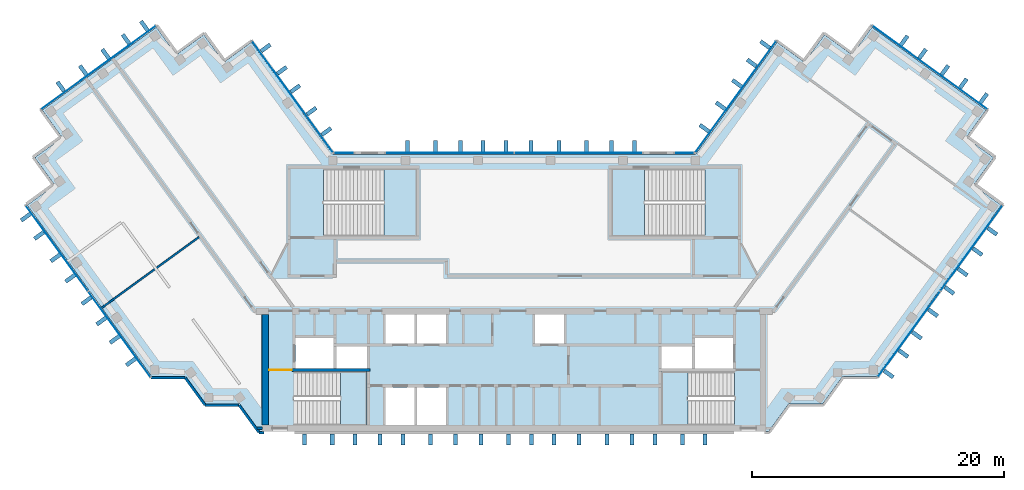
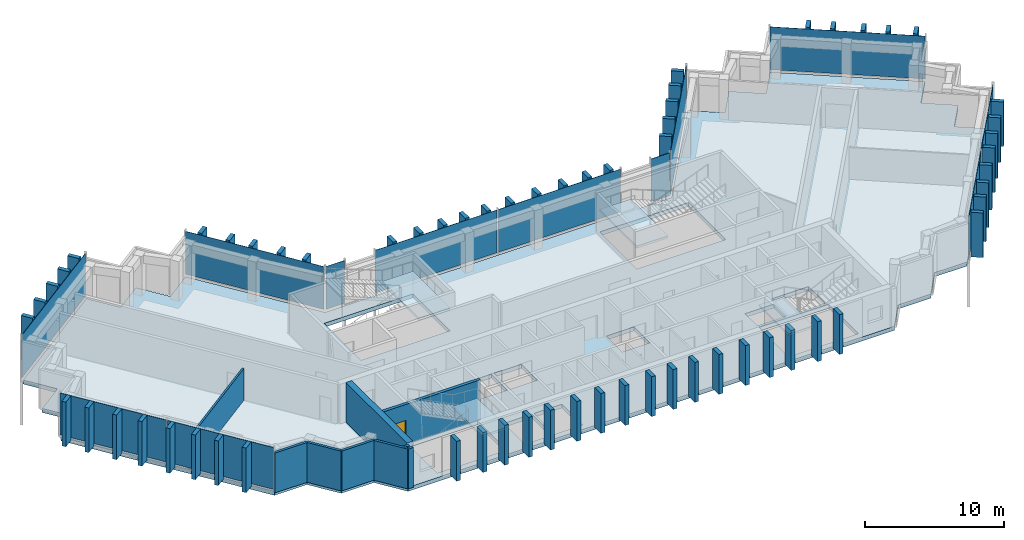
# One storey, part 7 of 13: 75 plates, 9 walls, 5 slabs, 1 door, 1 opening, 13 elements without a shape of their own.
"""IFC4 building model written with IfcOpenShell, lengths in metres."""

import ifcopenshell
import ifcopenshell.guid

model = None  # the IFC model being written
_history = None  # IfcOwnerHistory: only IFC2X3 demands one
_inside = {}  # id of a spatial element -> (the spatial element, [elements in it])
_under = {}  # id of a project, library or spatial element -> (it, [spatial elements below it])
_declared = {}  # id of a project -> (the project, [libraries it declares])
_typed = {}  # id of a type object -> (the type object, [elements of that type])
_made_of = {}  # id of a material, layer set ... -> (it, [elements and type objects made of it])


def new_model(schema):
    """Start an empty IFC model of exactly this schema.

    Asked for "IFC4X3", IfcOpenShell would pick the latest addendum, in which some entities
    have other attributes; the version numbers below select the first issue.
    IFC2X3 requires an IfcOwnerHistory on every rooted entity: one is made here for all.
    """
    global model, _history
    if schema == "IFC4X3":
        model = ifcopenshell.file(schema_version=(4, 3, 0, 0))
    else:
        model = ifcopenshell.file(schema=schema)
    _inside.clear()
    _under.clear()
    _declared.clear()
    _typed.clear()
    _made_of.clear()
    _history = None
    if model.schema == "IFC2X3":
        org = make("IfcOrganization", Name="unknown")
        user = make(
            "IfcPersonAndOrganization",
            ThePerson=make("IfcPerson", FamilyName="unknown"),
            TheOrganization=org,
        )
        app = make(
            "IfcApplication",
            ApplicationDeveloper=org,
            Version="unknown",
            ApplicationFullName="unknown",
            ApplicationIdentifier="unknown",
        )
        _history = make(
            "IfcOwnerHistory",
            OwningUser=user,
            OwningApplication=app,
            ChangeAction="ADDED",
            CreationDate=0,
        )
    return model


def make(cls, **values):
    """One entity of the class cls with the attributes given. An attribute that is None is left unset."""
    return model.create_entity(
        cls, **{name: value for name, value in values.items() if value is not None}
    )


def rooted(cls, **values):
    """An entity with a GlobalId (a new one), such as an element, a storey or a relation."""
    return make(cls, GlobalId=ifcopenshell.guid.new(), OwnerHistory=_history, **values)


def si_unit(unit_type, name, prefix=None):
    """IfcSIUnit, for example si_unit("LENGTHUNIT", "METRE", prefix="MILLI")."""
    return make("IfcSIUnit", UnitType=unit_type, Prefix=prefix, Name=name)


def assignment(units):
    """IfcUnitAssignment: the units of a project."""
    return None if units is None else make("IfcUnitAssignment", Units=units)


def point(xyz):
    """IfcCartesianPoint."""
    return None if xyz is None else make("IfcCartesianPoint", Coordinates=xyz)


def direction(xyz):
    """IfcDirection."""
    return None if xyz is None else make("IfcDirection", DirectionRatios=xyz)


def frame(location, z_axis=None, x_axis=None):
    """IfcAxis2Placement3D, a coordinate frame: its origin and axes. An axis left out is left unset."""
    return make(
        "IfcAxis2Placement3D",
        Location=point(location),
        Axis=direction(z_axis),
        RefDirection=direction(x_axis),
    )


def frame_2d(location, x_axis=None):
    """IfcAxis2Placement2D, a coordinate frame in the plane: its origin and x axis."""
    return make(
        "IfcAxis2Placement2D", Location=point(location), RefDirection=direction(x_axis)
    )


def origin():
    """The frame at (0, 0, 0) with its axes left unset."""
    return frame((0.0, 0.0, 0.0))


def origin_2d():
    """The frame at (0, 0) in the plane with its x axis left unset."""
    return frame_2d((0.0, 0.0))


def place(relative_to, where):
    """IfcLocalPlacement: puts the frame where relative to a parent placement (None: the world)."""
    return make(
        "IfcLocalPlacement", PlacementRelTo=relative_to, RelativePlacement=where
    )


def context(
    kind, dimensions, precision=None, world=None, true_north=None, identifier=None
):
    """IfcGeometricRepresentationContext, for example the 3D "Model" context."""
    return make(
        "IfcGeometricRepresentationContext",
        ContextIdentifier=identifier,
        ContextType=kind,
        CoordinateSpaceDimension=dimensions,
        Precision=precision,
        WorldCoordinateSystem=world,
        TrueNorth=true_north,
    )


def subcontext(parent, identifier, kind, view, scale=None):
    """IfcGeometricRepresentationSubContext, for example "Body" below "Model"."""
    return make(
        "IfcGeometricRepresentationSubContext",
        ContextIdentifier=identifier,
        ContextType=kind,
        ParentContext=parent,
        TargetScale=scale,
        TargetView=view,
    )


def project(units=None, contexts=None):
    """IfcProject with its units and contexts."""
    return rooted(
        "IfcProject",
        Name="project",
        RepresentationContexts=contexts,
        UnitsInContext=assignment(units),
    )


def spatial(cls, under=None, at=None, **own):
    """A site, building, storey or space (cls), placed at a placement, below another one or the project."""
    s = rooted(cls, ObjectPlacement=at, **own)
    if under is not None:
        _under.setdefault(under.id(), (under, []))[1].append(s)
    return s


def polyline(points):
    """IfcPolyline through the points."""
    return make("IfcPolyline", Points=[point(p) for p in points])


def profile(cls, at=None, kind="AREA", **sizes):
    """A parametric profile (cls). Its sizes go by their IFC names, for example OverallWidth=200.0."""
    return make(cls, ProfileType=kind, Position=at, **sizes)


def rectangle(**sizes):
    """IfcRectangleProfileDef."""
    return profile("IfcRectangleProfileDef", **sizes)


def outline(outer, holes=None, kind="AREA"):
    """IfcArbitraryClosedProfileDef: a profile drawn as a closed curve; with holes, ...WithVoids."""
    if holes is None:
        return make("IfcArbitraryClosedProfileDef", ProfileType=kind, OuterCurve=outer)
    return make(
        "IfcArbitraryProfileDefWithVoids",
        ProfileType=kind,
        OuterCurve=outer,
        InnerCurves=holes,
    )


def extrude(swept, where, along, depth):
    """IfcExtrudedAreaSolid: the profile swept, set in the frame where, extruded along a direction by depth."""
    return make(
        "IfcExtrudedAreaSolid",
        SweptArea=swept,
        Position=where,
        ExtrudedDirection=direction(along),
        Depth=depth,
    )


def shape(context_of_items, identifier, shape_type, items):
    """IfcShapeRepresentation: the items that make up one representation, for example the "Body"."""
    return make(
        "IfcShapeRepresentation",
        ContextOfItems=context_of_items,
        RepresentationIdentifier=identifier,
        RepresentationType=shape_type,
        Items=items,
    )


def material(Name=None, Category=None):
    """IfcMaterial."""
    return make("IfcMaterial", Name=Name, Category=Category)


def layer(
    of_material, thickness, ventilated=None, Name=None, Category=None, Priority=None
):
    """IfcMaterialLayer: one layer of a wall or slab, of a material (None: an air gap)."""
    return make(
        "IfcMaterialLayer",
        Material=of_material,
        LayerThickness=thickness,
        IsVentilated=ventilated,
        Name=Name,
        Category=Category,
        Priority=Priority,
    )


def layer_set(layers, Name=None):
    """IfcMaterialLayerSet."""
    return make("IfcMaterialLayerSet", MaterialLayers=layers, LayerSetName=Name)


def made_of(thing, what):
    """Note that an element or type object is made of a material, layer set ...; save() writes the relation."""
    if what is not None:
        _made_of.setdefault(what.id(), (what, []))[1].append(thing)
    return thing


def type_object(cls, material=None, **own):
    """A type object (cls), such as IfcWallType, which elements share."""
    return made_of(rooted(cls, **own), material)


def element(
    cls,
    number,
    at=None,
    inside=None,
    cuts=None,
    type_object=None,
    material=None,
    context=None,
    identifier="Body",
    shape_type=None,
    held_by="IfcProductDefinitionShape",
    body=None,
    shapes=None,
    **own,
):
    """One element of the class cls, such as IfcWall. Its Tag is "e" and its number.

    at: its placement. inside: the storey or other place that contains it. cuts: it is an
    opening in that element (IfcRelVoidsElement). A single representation is given by context,
    identifier, shape_type and body (its items); several are given by shapes. held_by: the class
    of the entity that holds the representations. save() writes the other relations.
    """
    e = rooted(cls, Tag="e%d" % number, ObjectPlacement=at, **own)
    if body is not None:
        shapes = [shape(context, identifier, shape_type, body)]
    if shapes is not None:
        e.Representation = make(held_by, Representations=shapes)
    if inside is not None:
        _inside.setdefault(inside.id(), (inside, []))[1].append(e)
    if cuts is not None:
        rooted(
            "IfcRelVoidsElement", RelatingBuildingElement=cuts, RelatedOpeningElement=e
        )
    if type_object is not None:
        _typed.setdefault(type_object.id(), (type_object, []))[1].append(e)
    return made_of(e, material)


def fill(opening, filler):
    """IfcRelFillsElement: the door or window that sits in an opening."""
    return rooted(
        "IfcRelFillsElement",
        RelatingOpeningElement=opening,
        RelatedBuildingElement=filler,
    )


def aggregate(whole, parts):
    """IfcRelAggregates: a whole, such as a stair, and the parts it consists of."""
    return rooted("IfcRelAggregates", RelatingObject=whole, RelatedObjects=parts)


def save(model, path):
    """Write the relations noted so far, then the file.

    IfcRelAggregates (storeys below a building ...), IfcRelContainedInSpatialStructure (elements
    in a storey), IfcRelDefinesByType, IfcRelAssociatesMaterial and IfcRelDeclares: one each for
    every whole, place, type object, material and project.
    """
    for whole, parts in _under.values():
        aggregate(whole, parts)
    for where, things in _inside.values():
        rooted(
            "IfcRelContainedInSpatialStructure",
            RelatedElements=things,
            RelatingStructure=where,
        )
    for kind, things in _typed.values():
        rooted("IfcRelDefinesByType", RelatedObjects=things, RelatingType=kind)
    for what, things in _made_of.values():
        rooted("IfcRelAssociatesMaterial", RelatedObjects=things, RelatingMaterial=what)
    for by, libraries in _declared.values():
        rooted("IfcRelDeclares", RelatingContext=by, RelatedDefinitions=libraries)
    model.write(path)


model = new_model("IFC4")

# Units and contexts
model_context = context("Model", 3, precision=1e-05, world=origin(), true_north=direction((0.0, 1.0)))
body_context = subcontext(model_context, "Body", "Model", "MODEL_VIEW")
ifc_project = project(units=[si_unit("LENGTHUNIT", "METRE"), si_unit("AREAUNIT", "SQUARE_METRE"), si_unit("VOLUMEUNIT", "CUBIC_METRE"), si_unit("PLANEANGLEUNIT", "RADIAN"), si_unit("MASSUNIT", "GRAM", prefix="KILO")], contexts=[model_context])

# Site, building, storey
site_placement = place(None, origin())
site = spatial("IfcSite", under=ifc_project, at=site_placement, CompositionType="ELEMENT")
building_placement = place(site_placement, origin())
building = spatial("IfcBuilding", under=site, at=building_placement, Name="Quipu Civic Tower", CompositionType="ELEMENT")
storey_placement = place(building_placement, frame((0.0, 0.0, 269.0)))
storey = spatial("IfcBuildingStorey", under=building, at=storey_placement, Name="L63", CompositionType="ELEMENT", Elevation=269.0)

# Slab
ifc_material_1 = material(Name="Concrete C40/50", Category="concrete")
ifc_layer_1 = layer(ifc_material_1, 0.35009765625)
ifc_layer_set_1 = layer_set([ifc_layer_1], Name="Concrete C40/50")
slab_type_1 = type_object("IfcSlabType", Name="Floor slab 350 C40/50", PredefinedType="FLOOR", material=ifc_layer_set_1)
slab_1_placement = place(storey_placement, frame((0.0, 0.0, -0.35009765625)))
element("IfcSlab", 1, at=slab_1_placement, inside=storey, type_object=slab_type_1, Name="Floor slab L63", PredefinedType="FLOOR", context=body_context, shape_type="SweptSolid", body=[
    extrude(outline(polyline([(20.860107421875, 19.89501953125), (23.0400390625, 18.31005859375), (24.6298828125, 20.4951171875), (26.81494140625, 18.905029296875), (28.39990234375, 21.090087890625), (37.4599609375, 14.5048828125), (35.875, 12.320068359375), (38.06005859375, 10.735107421875), (36.469970703125, 8.550048828125), (38.655029296875, 6.965087890625), (28.780029296875, -6.6298828125), (26.080078125, -6.6298828125), (24.489990234375, -8.81494140625), (21.7900390625, -8.81494140625), (20.205078125, -11.0), (-20.205078125, -11.0), (-21.7900390625, -8.81494140625), (-24.489990234375, -8.81494140625), (-26.080078125, -6.6298828125), (-28.780029296875, -6.6298828125), (-38.655029296875, 6.965087890625), (-36.469970703125, 8.550048828125), (-38.06005859375, 10.735107421875), (-35.875, 12.320068359375), (-37.4599609375, 14.5048828125), (-28.39990234375, 21.090087890625), (-26.81494140625, 18.905029296875), (-24.6298828125, 20.4951171875), (-23.0400390625, 18.31005859375), (-20.860107421875, 19.89501953125), (-14.39501953125, 11.0), (14.39501953125, 11.0), (20.860107421875, 19.89501953125)]), holes=[polyline([(-10.199951171875, -10.5), (-7.89990234375, -10.5), (-7.89990234375, -7.5), (-10.199951171875, -7.5), (-10.199951171875, -10.5)]), polyline([(-7.699951171875, -7.5), (-7.699951171875, -10.5), (-5.39990234375, -10.5), (-5.39990234375, -7.5), (-7.699951171875, -7.5)]), polyline([(-11.705078125, -6.2548828125), (-17.4951171875, -6.2548828125), (-17.4951171875, -10.4951171875), (-11.705078125, -10.4951171875), (-11.705078125, -6.2548828125)]), polyline([(-14.10009765625, -6.0), (-11.699951171875, -6.0), (-11.699951171875, -4.25), (-14.10009765625, -4.25), (-14.10009765625, -6.0)]), polyline([(-17.35009765625, -3.60009765625), (-17.35009765625, -6.0), (-14.35009765625, -6.0), (-14.35009765625, -3.60009765625), (-17.35009765625, -3.60009765625)]), polyline([(-10.199951171875, -1.699951171875), (-10.199951171875, -4.0), (-7.89990234375, -4.0), (-7.89990234375, -1.699951171875), (-10.199951171875, -1.699951171875)]), polyline([(-15.14501953125, 9.844970703125), (-15.14501953125, 4.5048828125), (-7.7548828125, 4.5048828125), (-7.7548828125, 9.844970703125), (-15.14501953125, 9.844970703125)]), polyline([(11.705078125, -10.4951171875), (17.4951171875, -10.4951171875), (17.4951171875, -6.2548828125), (11.705078125, -6.2548828125), (11.705078125, -10.4951171875)]), polyline([(11.699951171875, -4.25), (11.699951171875, -6.0), (14.10009765625, -6.0), (14.10009765625, -4.25), (11.699951171875, -4.25)]), polyline([(14.35009765625, -3.60009765625), (14.35009765625, -6.0), (17.35009765625, -6.0), (17.35009765625, -3.60009765625), (14.35009765625, -3.60009765625)]), polyline([(-7.699951171875, -1.699951171875), (-7.699951171875, -4.0), (-5.39990234375, -4.0), (-5.39990234375, -1.699951171875), (-7.699951171875, -1.699951171875)]), polyline([(1.64990234375, -1.699951171875), (1.64990234375, -4.0), (3.949951171875, -4.0), (3.949951171875, -1.699951171875), (1.64990234375, -1.699951171875)]), polyline([(7.7548828125, 4.5048828125), (15.14501953125, 4.5048828125), (15.14501953125, 9.844970703125), (7.7548828125, 9.844970703125), (7.7548828125, 4.5048828125)])]), origin(), (0.0, 0.0, 1.0), 0.35009765625),
])

# Curtain wall, plates
ifc_material_2 = material(Name="Insulated glass unit", Category="glass")
curtain_wall_type = type_object("IfcCurtainWallType", Name="Office curtain wall CW1", PredefinedType="NOTDEFINED", material=ifc_material_2)
curtain_wall_1_placement = place(storey_placement, origin())
curtain_wall_1 = element("IfcCurtainWall", 2, at=curtain_wall_1_placement, inside=storey, type_object=curtain_wall_type, Name="Office curtain wall CW1 L62 run 16", PredefinedType="NOTDEFINED")
ifc_material_3 = material(Name="Insulated glass unit", Category="glass")
ifc_layer_2 = layer(ifc_material_3, 0.028076171875)
ifc_layer_set_2 = layer_set([ifc_layer_2], Name="Insulated glass unit")
plate_type_1 = type_object("IfcPlateType", Name="Glass panel CW1", PredefinedType="CURTAIN_PANEL", material=ifc_layer_set_2)
plate_1_placement = place(storey_placement, frame((31.333251953125, -3.285888671875, 0.16015625), z_axis=(0.0, 0.0, 1.0), x_axis=(0.587786237643, 0.809016278475, 0.0)))
plate_1 = element("IfcPlate", 3, at=plate_1_placement, type_object=plate_type_1, Name="CW1 panel 1.2", PredefinedType="CURTAIN_PANEL", context=body_context, shape_type="SweptSolid", body=[
    extrude(rectangle(XDim=8.35791015625, YDim=0.028076171875, at=origin_2d()), origin(), (0.0, 0.0, 1.0), 3.760009765625),
])
plate_2_placement = place(storey_placement, frame((36.292724609375, 3.54052734375, 0.16015625), z_axis=(0.0, 0.0, 1.0), x_axis=(0.587786237643, 0.809016278475, 0.0)))
plate_2 = element("IfcPlate", 4, at=plate_2_placement, type_object=plate_type_1, Name="CW1 panel 2.2", PredefinedType="CURTAIN_PANEL", context=body_context, shape_type="SweptSolid", body=[
    extrude(rectangle(XDim=8.35791015625, YDim=0.028076171875, at=origin_2d()), origin(), (0.0, 0.0, 1.0), 3.760009765625),
])
aggregate(curtain_wall_1, [plate_1, plate_2])

# Curtain wall, plate
curtain_wall_2_placement = place(storey_placement, origin())
curtain_wall_2 = element("IfcCurtainWall", 5, at=curtain_wall_2_placement, inside=storey, type_object=curtain_wall_type, Name="Office curtain wall CW1 L62 run 21", PredefinedType="NOTDEFINED")
plate_3_placement = place(storey_placement, frame((32.989990234375, 17.87939453125, 0.16015625), z_axis=(0.0, 0.0, 1.0), x_axis=(-0.809015176832, 0.587787753918, 0.0)))
plate_3 = element("IfcPlate", 6, at=plate_3_placement, type_object=plate_type_1, Name="CW1 panel 1.2", PredefinedType="CURTAIN_PANEL", context=body_context, shape_type="SweptSolid", body=[
    extrude(rectangle(XDim=11.239990234375, YDim=0.028076171875, at=origin_2d()), origin(), (0.0, 0.0, 1.0), 3.760009765625),
])
aggregate(curtain_wall_2, [plate_3])

curtain_wall_3_placement = place(storey_placement, origin())
curtain_wall_3 = element("IfcCurtainWall", 7, at=curtain_wall_3_placement, inside=storey, type_object=curtain_wall_type, Name="Office curtain wall CW1 L62 run 26", PredefinedType="NOTDEFINED")
plate_4_placement = place(storey_placement, frame((17.590087890625, 15.5673828125, 0.16015625), z_axis=(0.0, 0.0, 1.0), x_axis=(-0.587787771652, -0.809015163947, 0.0)))
plate_4 = element("IfcPlate", 8, at=plate_4_placement, type_object=plate_type_1, Name="CW1 panel 1.2", PredefinedType="CURTAIN_PANEL", context=body_context, shape_type="SweptSolid", body=[
    extrude(rectangle(XDim=10.88427734375, YDim=0.028076171875, at=origin_2d()), origin(), (0.0, 0.0, 1.0), 3.760009765625),
])
aggregate(curtain_wall_3, [plate_4])

curtain_wall_4_placement = place(storey_placement, origin())
curtain_wall_4 = element("IfcCurtainWall", 9, at=curtain_wall_4_placement, inside=storey, type_object=curtain_wall_type, Name="Office curtain wall CW1 L62 run 27", PredefinedType="NOTDEFINED")
plate_5_placement = place(storey_placement, frame((13.49951171875, 11.10009765625, 0.16015625), z_axis=(0.0, 0.0, 1.0), x_axis=(-1.0, 0.0, 0.0)))
plate_5 = element("IfcPlate", 10, at=plate_5_placement, type_object=plate_type_1, Name="CW1 panel 1.2", PredefinedType="CURTAIN_PANEL", context=body_context, shape_type="SweptSolid", body=[
    extrude(rectangle(XDim=1.529296875, YDim=0.028076171875, at=origin_2d()), origin(), (0.0, 0.0, 1.0), 3.760009765625),
])
aggregate(curtain_wall_4, [plate_5])

# Curtain wall, plates
curtain_wall_5_placement = place(storey_placement, origin())
curtain_wall_5 = element("IfcCurtainWall", 11, at=curtain_wall_5_placement, inside=storey, type_object=curtain_wall_type, Name="Office curtain wall CW1 L62 run 29", PredefinedType="NOTDEFINED")
plate_6_placement = place(storey_placement, frame((5.11181640625, 11.10009765625, 0.16015625), z_axis=(0.0, 0.0, 1.0), x_axis=(-1.0, 0.0, 0.0)))
plate_6 = element("IfcPlate", 12, at=plate_6_placement, type_object=plate_type_1, Name="CW1 panel 1.2", PredefinedType="CURTAIN_PANEL", context=body_context, shape_type="SweptSolid", body=[
    extrude(rectangle(XDim=10.1435546875, YDim=0.028076171875, at=origin_2d()), origin(), (0.0, 0.0, 1.0), 3.760009765625),
])
plate_7_placement = place(storey_placement, frame((-5.11181640625, 11.10009765625, 0.16015625), z_axis=(0.0, 0.0, 1.0), x_axis=(-1.0, 0.0, 0.0)))
plate_7 = element("IfcPlate", 13, at=plate_7_placement, type_object=plate_type_1, Name="CW1 panel 2.2", PredefinedType="CURTAIN_PANEL", context=body_context, shape_type="SweptSolid", body=[
    extrude(rectangle(XDim=10.1435546875, YDim=0.028076171875, at=origin_2d()), origin(), (0.0, 0.0, 1.0), 3.760009765625),
])
aggregate(curtain_wall_5, [plate_6, plate_7])

# Curtain wall, plate
curtain_wall_6_placement = place(storey_placement, origin())
curtain_wall_6 = element("IfcCurtainWall", 14, at=curtain_wall_6_placement, inside=storey, type_object=curtain_wall_type, Name="Office curtain wall CW1 L62 run 31", PredefinedType="NOTDEFINED")
plate_8_placement = place(storey_placement, frame((-13.49951171875, 11.10009765625, 0.16015625), z_axis=(0.0, 0.0, 1.0), x_axis=(-1.0, 0.0, 0.0)))
plate_8 = element("IfcPlate", 15, at=plate_8_placement, type_object=plate_type_1, Name="CW1 panel 1.2", PredefinedType="CURTAIN_PANEL", context=body_context, shape_type="SweptSolid", body=[
    extrude(rectangle(XDim=1.529296875, YDim=0.028076171875, at=origin_2d()), origin(), (0.0, 0.0, 1.0), 3.760009765625),
])
aggregate(curtain_wall_6, [plate_8])

curtain_wall_7_placement = place(storey_placement, origin())
curtain_wall_7 = element("IfcCurtainWall", 16, at=curtain_wall_7_placement, inside=storey, type_object=curtain_wall_type, Name="Office curtain wall CW1 L62 run 32", PredefinedType="NOTDEFINED")
plate_9_placement = place(storey_placement, frame((-17.590087890625, 15.5673828125, 0.16015625), z_axis=(0.0, 0.0, 1.0), x_axis=(-0.587787771652, 0.809015163947, 0.0)))
plate_9 = element("IfcPlate", 17, at=plate_9_placement, type_object=plate_type_1, Name="CW1 panel 1.2", PredefinedType="CURTAIN_PANEL", context=body_context, shape_type="SweptSolid", body=[
    extrude(rectangle(XDim=10.88427734375, YDim=0.028076171875, at=origin_2d()), origin(), (0.0, 0.0, 1.0), 3.760009765625),
])
aggregate(curtain_wall_7, [plate_9])

curtain_wall_8_placement = place(storey_placement, origin())
curtain_wall_8 = element("IfcCurtainWall", 18, at=curtain_wall_8_placement, inside=storey, type_object=curtain_wall_type, Name="Office curtain wall CW1 L62 run 37", PredefinedType="NOTDEFINED")
plate_10_placement = place(storey_placement, frame((-32.989990234375, 17.87939453125, 0.16015625), z_axis=(0.0, 0.0, 1.0), x_axis=(-0.809015176832, -0.587787753918, 0.0)))
plate_10 = element("IfcPlate", 19, at=plate_10_placement, type_object=plate_type_1, Name="CW1 panel 1.2", PredefinedType="CURTAIN_PANEL", context=body_context, shape_type="SweptSolid", body=[
    extrude(rectangle(XDim=11.239990234375, YDim=0.028076171875, at=origin_2d()), origin(), (0.0, 0.0, 1.0), 3.760009765625),
])
aggregate(curtain_wall_8, [plate_10])

# Curtain wall, plates
curtain_wall_9_placement = place(storey_placement, origin())
curtain_wall_9 = element("IfcCurtainWall", 20, at=curtain_wall_9_placement, inside=storey, type_object=curtain_wall_type, Name="Office curtain wall CW1 L63 run 1", PredefinedType="NOTDEFINED")
plate_11_placement = place(storey_placement, frame((-36.292724609375, 3.54052734375, 0.240234375), z_axis=(0.0, 0.0, 1.0), x_axis=(0.587786237643, -0.809016278475, 0.0)))
plate_11 = element("IfcPlate", 21, at=plate_11_placement, type_object=plate_type_1, Name="CW1 panel 1.1", PredefinedType="CURTAIN_PANEL", context=body_context, shape_type="SweptSolid", body=[
    extrude(rectangle(XDim=8.35791015625, YDim=0.028076171875, at=origin_2d()), origin(), (0.0, 0.0, 1.0), 3.679931640625),
])
plate_12_placement = place(storey_placement, frame((-31.333251953125, -3.285888671875, 0.240234375), z_axis=(0.0, 0.0, 1.0), x_axis=(0.587786237643, -0.809016278475, 0.0)))
plate_12 = element("IfcPlate", 22, at=plate_12_placement, type_object=plate_type_1, Name="CW1 panel 2.1", PredefinedType="CURTAIN_PANEL", context=body_context, shape_type="SweptSolid", body=[
    extrude(rectangle(XDim=8.35791015625, YDim=0.028076171875, at=origin_2d()), origin(), (0.0, 0.0, 1.0), 3.679931640625),
])
aggregate(curtain_wall_9, [plate_11, plate_12])

# Plates
ifc_material_4 = material(Name="Precast concrete C40/50", Category="concrete")
plate_type_2 = type_object("IfcPlateType", Name="Precast fin F3", PredefinedType="SHEET", material=ifc_material_4)
for number, where, z_axis, x_axis, name in (
    (23, (-16.639892578125, -11.637939453125, 0.0), (0.0, 0.0, 1.0), (1.0, 0.0, 0.0), "Precast fin F3 L63.P07.1"),
    (24, (-14.43994140625, -11.637939453125, 0.0), (0.0, 0.0, 1.0), (1.0, 0.0, 0.0), "Precast fin F3 L63.P07.2"),
    (25, (-12.639892578125, -11.637939453125, 0.0), (0.0, 0.0, 1.0), (1.0, 0.0, 0.0), "Precast fin F3 L63.P07.3"),
    (26, (-10.639892578125, -11.637939453125, 0.0), (0.0, 0.0, 1.0), (1.0, 0.0, 0.0), "Precast fin F3 L63.P07.4"),
    (27, (-8.840087890625, -11.637939453125, 0.0), (0.0, 0.0, 1.0), (1.0, 0.0, 0.0), "Precast fin F3 L63.P07.5"),
    (28, (-6.639892578125, -11.637939453125, 0.0), (0.0, 0.0, 1.0), (1.0, 0.0, 0.0), "Precast fin F3 L63.P07.6"),
    (29, (-4.639892578125, -11.637939453125, 0.0), (0.0, 0.0, 1.0), (1.0, 0.0, 0.0), "Precast fin F3 L63.P07.7"),
    (30, (-2.639892578125, -11.637939453125, 0.0), (0.0, 0.0, 1.0), (1.0, 0.0, 0.0), "Precast fin F3 L63.P07.8"),
    (31, (-0.43994140625, -11.637939453125, 0.0), (0.0, 0.0, 1.0), (1.0, 0.0, 0.0), "Precast fin F3 L63.P07.9"),
    (32, (1.360107421875, -11.637939453125, 0.0), (0.0, 0.0, 1.0), (1.0, 0.0, 0.0), "Precast fin F3 L63.P07.10"),
    (33, (3.159912109375, -11.637939453125, 0.0), (0.0, 0.0, 1.0), (1.0, 0.0, 0.0), "Precast fin F3 L63.P07.11"),
    (34, (5.159912109375, -11.637939453125, 0.0), (0.0, 0.0, 1.0), (1.0, 0.0, 0.0), "Precast fin F3 L63.P07.12"),
    (35, (7.360107421875, -11.637939453125, 0.0), (0.0, 0.0, 1.0), (1.0, 0.0, 0.0), "Precast fin F3 L63.P07.13"),
    (36, (9.360107421875, -11.637939453125, 0.0), (0.0, 0.0, 1.0), (1.0, 0.0, 0.0), "Precast fin F3 L63.P07.14"),
    (37, (11.159912109375, -11.637939453125, 0.0), (0.0, 0.0, 1.0), (1.0, 0.0, 0.0), "Precast fin F3 L63.P07.15"),
    (38, (13.360107421875, -11.637939453125, 0.0), (0.0, 0.0, 1.0), (1.0, 0.0, 0.0), "Precast fin F3 L63.P07.16"),
    (39, (15.159912109375, -11.637939453125, 0.0), (0.0, 0.0, 1.0), (1.0, 0.0, 0.0), "Precast fin F3 L63.P07.17"),
):
    element("IfcPlate", number, at=place(storey_placement, frame(where, z_axis=z_axis, x_axis=x_axis)), inside=storey, type_object=plate_type_2, Name=name, PredefinedType="SHEET", context=body_context, shape_type="SweptSolid", body=[
        extrude(rectangle(XDim=0.320068359375, YDim=0.89990234375, at=origin_2d()), origin(), (0.0, 0.0, 1.0), 3.5),
    ])
for number, where, z_axis, x_axis, name in (
    (40, (29.721923828125, -6.43896484375, 0.080078125), (0.0, 0.0, 1.0), (0.587786668783, 0.809015965233, 0.0), "Precast fin F3 L63.P13.1"),
    (41, (30.8974609375, -4.821044921875, 0.080078125), (0.0, 0.0, 1.0), (0.587786668783, 0.809015965233, 0.0), "Precast fin F3 L63.P13.2"),
    (42, (31.95556640625, -3.36474609375, 0.080078125), (0.0, 0.0, 1.0), (0.587786668783, 0.809015965233, 0.0), "Precast fin F3 L63.P13.3"),
    (43, (33.248779296875, -1.5849609375, 0.080078125), (0.0, 0.0, 1.0), (0.587786668783, 0.809015965233, 0.0), "Precast fin F3 L63.P13.4"),
    (44, (34.541748046875, 0.195068359375, 0.080078125), (0.0, 0.0, 1.0), (0.587786668783, 0.809015965233, 0.0), "Precast fin F3 L63.P13.5"),
    (45, (35.599853515625, 1.651123046875, 0.080078125), (0.0, 0.0, 1.0), (0.587786668783, 0.809015965233, 0.0), "Precast fin F3 L63.P13.6"),
    (46, (36.775390625, 3.269287109375, 0.080078125), (0.0, 0.0, 1.0), (0.587786668783, 0.809015965233, 0.0), "Precast fin F3 L63.P13.7"),
    (47, (37.950927734375, 4.88720703125, 0.080078125), (0.0, 0.0, 1.0), (0.587786668783, 0.809015965233, 0.0), "Precast fin F3 L63.P13.8"),
    (48, (37.26953125, 15.449951171875, 0.080078125), (0.0, 0.0, 1.0), (-0.809017072762, 0.587785144401, 0.0), "Precast fin F3 L63.P18.1"),
    (49, (35.6513671875, 16.62548828125, 0.080078125), (0.0, 0.0, 1.0), (-0.809017072762, 0.587785144401, 0.0), "Precast fin F3 L63.P18.2"),
    (50, (34.1953125, 17.68359375, 0.080078125), (0.0, 0.0, 1.0), (-0.809017072762, 0.587785144401, 0.0), "Precast fin F3 L63.P18.3"),
    (51, (32.415283203125, 18.976806640625, 0.080078125), (0.0, 0.0, 1.0), (-0.809017072762, 0.587785144401, 0.0), "Precast fin F3 L63.P18.4"),
    (52, (30.959228515625, 20.03466796875, 0.080078125), (0.0, 0.0, 1.0), (-0.809017072762, 0.587785144401, 0.0), "Precast fin F3 L63.P18.5"),
    (53, (19.914794921875, 19.702880859375, 0.080078125), (0.0, 0.0, 1.0), (-0.58778443384, -0.809017589015, 0.0), "Precast fin F3 L63.P23.1"),
    (54, (18.856689453125, 18.246826171875, 0.080078125), (0.0, 0.0, 1.0), (-0.58778443384, -0.809017589015, 0.0), "Precast fin F3 L63.P23.2"),
    (55, (17.68115234375, 16.628662109375, 0.080078125), (0.0, 0.0, 1.0), (-0.58778443384, -0.809017589015, 0.0), "Precast fin F3 L63.P23.3"),
    (56, (16.38818359375, 14.848876953125, 0.080078125), (0.0, 0.0, 1.0), (-0.58778443384, -0.809017589015, 0.0), "Precast fin F3 L63.P23.4"),
    (57, (15.094970703125, 13.069091796875, 0.080078125), (0.0, 0.0, 1.0), (-0.58778443384, -0.809017589015, 0.0), "Precast fin F3 L63.P23.5"),
    (58, (9.5400390625, 11.64990234375, 0.080078125), (0.0, 0.0, 1.0), (-1.0, 0.0, 0.0), "Precast fin F3 L63.P26.1"),
    (59, (7.739990234375, 11.64990234375, 0.080078125), (0.0, 0.0, 1.0), (-1.0, 0.0, 0.0), "Precast fin F3 L63.P26.2"),
    (60, (5.739990234375, 11.64990234375, 0.080078125), (0.0, 0.0, 1.0), (-1.0, 0.0, 0.0), "Precast fin F3 L63.P26.3"),
    (61, (3.5400390625, 11.64990234375, 0.080078125), (0.0, 0.0, 1.0), (-1.0, 0.0, 0.0), "Precast fin F3 L63.P26.4"),
    (62, (1.340087890625, 11.64990234375, 0.080078125), (0.0, 0.0, 1.0), (-1.0, 0.0, 0.0), "Precast fin F3 L63.P26.5"),
    (63, (-0.659912109375, 11.64990234375, 0.080078125), (0.0, 0.0, 1.0), (-1.0, 0.0, 0.0), "Precast fin F3 L63.P26.6"),
    (64, (-2.4599609375, 11.64990234375, 0.080078125), (0.0, 0.0, 1.0), (-1.0, 0.0, 0.0), "Precast fin F3 L63.P26.7"),
    (65, (-4.260009765625, 11.64990234375, 0.080078125), (0.0, 0.0, 1.0), (-1.0, 0.0, 0.0), "Precast fin F3 L63.P26.8"),
    (66, (-6.260009765625, 11.64990234375, 0.080078125), (0.0, 0.0, 1.0), (-1.0, 0.0, 0.0), "Precast fin F3 L63.P26.9"),
    (67, (-8.4599609375, 11.64990234375, 0.080078125), (0.0, 0.0, 1.0), (-1.0, 0.0, 0.0), "Precast fin F3 L63.P26.10"),
    (68, (-14.90380859375, 12.805908203125, 0.080078125), (0.0, 0.0, 1.0), (-0.58778443384, 0.809017589015, 0.0), "Precast fin F3 L63.P29.1"),
    (69, (-16.079345703125, 14.424072265625, 0.080078125), (0.0, 0.0, 1.0), (-0.58778443384, 0.809017589015, 0.0), "Precast fin F3 L63.P29.2"),
    (70, (-17.37255859375, 16.203857421875, 0.080078125), (0.0, 0.0, 1.0), (-0.58778443384, 0.809017589015, 0.0), "Precast fin F3 L63.P29.3"),
    (71, (-18.4306640625, 17.66015625, 0.080078125), (0.0, 0.0, 1.0), (-0.58778443384, 0.809017589015, 0.0), "Precast fin F3 L63.P29.4"),
    (72, (-19.7236328125, 19.43994140625, 0.080078125), (0.0, 0.0, 1.0), (-0.58778443384, 0.809017589015, 0.0), "Precast fin F3 L63.P29.5"),
    (73, (-29.357177734375, 21.198486328125, 0.080078125), (0.0, 0.0, 1.0), (-0.809017072762, -0.587785144401, 0.0), "Precast fin F3 L63.P34.1"),
    (74, (-30.8134765625, 20.140625, 0.080078125), (0.0, 0.0, 1.0), (-0.809017072762, -0.587785144401, 0.0), "Precast fin F3 L63.P34.2"),
    (75, (-32.431640625, 18.96484375, 0.080078125), (0.0, 0.0, 1.0), (-0.809017072762, -0.587785144401, 0.0), "Precast fin F3 L63.P34.3"),
    (76, (-34.21142578125, 17.671875, 0.080078125), (0.0, 0.0, 1.0), (-0.809017072762, -0.587785144401, 0.0), "Precast fin F3 L63.P34.4"),
    (77, (-35.9912109375, 16.378662109375, 0.080078125), (0.0, 0.0, 1.0), (-0.809017072762, -0.587785144401, 0.0), "Precast fin F3 L63.P34.5"),
    (78, (-38.764892578125, 6.007568359375, 0.080078125), (0.0, 0.0, 1.0), (0.587786668783, -0.809015965233, 0.0), "Precast fin F3 L63.1.1"),
    (79, (-37.70703125, 4.55126953125, 0.080078125), (0.0, 0.0, 1.0), (0.587786668783, -0.809015965233, 0.0), "Precast fin F3 L63.1.2"),
    (80, (-36.413818359375, 2.771484375, 0.080078125), (0.0, 0.0, 1.0), (0.587786668783, -0.809015965233, 0.0), "Precast fin F3 L63.1.3"),
    (81, (-35.23828125, 1.1533203125, 0.080078125), (0.0, 0.0, 1.0), (0.587786668783, -0.809015965233, 0.0), "Precast fin F3 L63.1.4"),
    (82, (-33.945068359375, -0.62646484375, 0.080078125), (0.0, 0.0, 1.0), (0.587786668783, -0.809015965233, 0.0), "Precast fin F3 L63.1.5"),
    (83, (-32.76953125, -2.244384765625, 0.080078125), (0.0, 0.0, 1.0), (0.587786668783, -0.809015965233, 0.0), "Precast fin F3 L63.1.6"),
    (84, (-31.71142578125, -3.70068359375, 0.080078125), (0.0, 0.0, 1.0), (0.587786668783, -0.809015965233, 0.0), "Precast fin F3 L63.1.7"),
    (85, (-30.41845703125, -5.48046875, 0.080078125), (0.0, 0.0, 1.0), (0.587786668783, -0.809015965233, 0.0), "Precast fin F3 L63.1.8"),
):
    element("IfcPlate", number, at=place(storey_placement, frame(where, z_axis=z_axis, x_axis=x_axis)), inside=storey, type_object=plate_type_2, Name=name, PredefinedType="SHEET", context=body_context, shape_type="SweptSolid", body=[
        extrude(rectangle(XDim=0.320068359375, YDim=0.89990234375, at=origin_2d()), origin(), (0.0, 0.0, 1.0), 3.919921875),
    ])

# Stair, slab
ifc_material_5 = material(Name="Concrete C40/50", Category="concrete")
stair_type_1 = type_object("IfcStairType", Name="Half turn stair 2000", PredefinedType="HALF_TURN_STAIR", material=ifc_material_5)
stair_1_placement = place(storey_placement, origin())
stair_1 = element("IfcStair", 86, at=stair_1_placement, inside=storey, type_object=stair_type_1, Name="Exit stair 1", PredefinedType="HALF_TURN_STAIR")
ifc_material_6 = material(Name="Concrete C40/50", Category="concrete")
ifc_layer_3 = layer(ifc_material_6, 0.199951171875)
ifc_layer_set_3 = layer_set([ifc_layer_3], Name="Concrete C40/50")
slab_type_2 = type_object("IfcSlabType", Name="Stair landing 200", PredefinedType="LANDING", material=ifc_layer_set_3)
slab_2_placement = place(storey_placement, frame((0.0, 0.0, 1.800048828125)))
slab_2 = element("IfcSlab", 87, at=slab_2_placement, type_object=slab_type_2, Name="ST-1 landing 1", PredefinedType="LANDING", context=body_context, shape_type="SweptSolid", body=[
    extrude(outline(polyline([(-13.780029296875, -10.5), (-11.699951171875, -10.5), (-11.699951171875, -6.25), (-13.780029296875, -6.25), (-13.780029296875, -10.5)])), origin(), (0.0, 0.0, 1.0), 0.199951171875),
])
aggregate(stair_1, [slab_2])

stair_2_placement = place(storey_placement, origin())
stair_2 = element("IfcStair", 88, at=stair_2_placement, inside=storey, type_object=stair_type_1, Name="Exit stair 2", PredefinedType="HALF_TURN_STAIR")
slab_3_placement = place(storey_placement, frame((0.0, 0.0, 1.800048828125)))
slab_3 = element("IfcSlab", 89, at=slab_3_placement, type_object=slab_type_2, Name="ST-2 landing 1", PredefinedType="LANDING", context=body_context, shape_type="SweptSolid", body=[
    extrude(outline(polyline([(13.780029296875, -6.25), (11.699951171875, -6.25), (11.699951171875, -10.5), (13.780029296875, -10.5), (13.780029296875, -6.25)])), origin(), (0.0, 0.0, 1.0), 0.199951171875),
])
aggregate(stair_2, [slab_3])

ifc_material_7 = material(Name="Concrete C40/50", Category="concrete")
stair_type_2 = type_object("IfcStairType", Name="Half turn stair 2600", PredefinedType="HALF_TURN_STAIR", material=ifc_material_7)
stair_3_placement = place(storey_placement, origin())
stair_3 = element("IfcStair", 90, at=stair_3_placement, inside=storey, type_object=stair_type_2, Name="Exit stair 3", PredefinedType="HALF_TURN_STAIR")
slab_4_placement = place(storey_placement, frame((0.0, 0.0, 1.800048828125)))
slab_4 = element("IfcSlab", 91, at=slab_4_placement, type_object=slab_type_2, Name="ST-3 landing 1", PredefinedType="LANDING", context=body_context, shape_type="SweptSolid", body=[
    extrude(outline(polyline([(-10.35009765625, 4.5), (-7.75, 4.5), (-7.75, 9.85009765625), (-10.35009765625, 9.85009765625), (-10.35009765625, 4.5)])), origin(), (0.0, 0.0, 1.0), 0.199951171875),
])
aggregate(stair_3, [slab_4])

stair_4_placement = place(storey_placement, origin())
stair_4 = element("IfcStair", 92, at=stair_4_placement, inside=storey, type_object=stair_type_2, Name="Exit stair 4", PredefinedType="HALF_TURN_STAIR")
slab_5_placement = place(storey_placement, frame((0.0, 0.0, 1.800048828125)))
slab_5 = element("IfcSlab", 93, at=slab_5_placement, type_object=slab_type_2, Name="ST-4 landing 1", PredefinedType="LANDING", context=body_context, shape_type="SweptSolid", body=[
    extrude(outline(polyline([(10.35009765625, 9.85009765625), (7.75, 9.85009765625), (7.75, 4.5), (10.35009765625, 4.5), (10.35009765625, 9.85009765625)])), origin(), (0.0, 0.0, 1.0), 0.199951171875),
])
aggregate(stair_4, [slab_5])

# Wall
ifc_material_8 = material(Name="Double gypsum plasterboard with mineral wool")
ifc_layer_4 = layer(ifc_material_8, 0.14990234375)
ifc_layer_set_4 = layer_set([ifc_layer_4], Name="Double gypsum plasterboard with mineral wool")
wall_type_1 = type_object("IfcWallType", Name="Acoustic partition 150 plasterboard", PredefinedType="PARTITIONING", material=ifc_layer_set_4)
wall_1_placement = place(storey_placement, frame((-25.00830078125, 4.4267578125, 0.0), z_axis=(0.0, 0.0, 1.0), x_axis=(-0.808994684961, -0.587815957341, 0.0)))
element("IfcWall", 94, at=wall_1_placement, inside=storey, type_object=wall_type_1, Name="Partition P04", PredefinedType="PARTITIONING", context=body_context, shape_type="SweptSolid", body=[
    extrude(rectangle(XDim=9.55029296875, YDim=0.14990234375, at=frame_2d((4.775146484375, 0.0))), origin(), (0.0, 0.0, 1.0), 2.800048828125),
])

# Wall, opening, door
ifc_material_9 = material(Name="Concrete C70/85", Category="concrete")
ifc_layer_5 = layer(ifc_material_9, 0.25)
ifc_layer_set_5 = layer_set([ifc_layer_5], Name="Concrete C70/85")
wall_type_2 = type_object("IfcWallType", Name="Core wall 250", PredefinedType="SHEAR", material=ifc_layer_set_5)
wall_2_placement = place(storey_placement, frame((-11.449951171875, -6.125, 0.0), z_axis=(0.0, 0.0, 1.0), x_axis=(-1.0, 0.0, 0.0)))
wall_2 = element("IfcWall", 95, at=wall_2_placement, inside=storey, type_object=wall_type_2, Name="Core wall", PredefinedType="SHEAR", context=body_context, shape_type="SweptSolid", body=[
    extrude(rectangle(XDim=8.050048828125, YDim=0.25, at=frame_2d((4.02490234375, 0.0))), origin(), (0.0, 0.0, 1.0), 3.5),
])
opening_placement = place(wall_2_placement, frame((6.199951171875, 0.0, 0.0)))
opening = element("IfcOpeningElement", 96, at=opening_placement, cuts=wall_2, Name="Opening CD-10", PredefinedType="OPENING", context=body_context, shape_type="SweptSolid", body=[
    extrude(rectangle(XDim=1.800048828125, YDim=2.10009765625, at=frame_2d((0.89990234375, 1.050048828125))), frame((0.0, 0.135009765625, 0.0), z_axis=(0.0, -1.0, 0.0), x_axis=(1.0, 0.0, 0.0)), (0.0, 0.0, 1.0), 0.27001953125),
])
ifc_material_10 = material(Name="Fire rated steel door", Category="steel")
door_type = type_object("IfcDoorType", Name="Fire door FD90 double 1800 x 2100", OperationType="NOTDEFINED", PredefinedType="DOOR", material=ifc_material_10)
door_placement = place(opening_placement, origin())
door = element("IfcDoor", 97, at=door_placement, inside=storey, type_object=door_type, Name="Door", OperationType="DOUBLE_DOOR_SINGLE_SWING", OverallHeight=2.10009765625, OverallWidth=1.800048828125, PredefinedType="DOOR", context=body_context, shape_type="SweptSolid", body=[
    extrude(rectangle(XDim=1.800048828125, YDim=2.10009765625, at=frame_2d((0.89990234375, 1.050048828125))), frame((0.0, 0.02490234375, 0.0), z_axis=(0.0, -1.0, 0.0), x_axis=(1.0, 0.0, 0.0)), (0.0, 0.0, 1.0), 0.050048828125),
])
fill(opening, door)

# Walls
ifc_material_11 = material(Name="Concrete C70/85", Category="concrete")
ifc_layer_6 = layer(ifc_material_11, 0.5)
ifc_layer_set_6 = layer_set([ifc_layer_6], Name="Concrete C70/85")
wall_type_3 = type_object("IfcWallType", Name="Core wall 500", PredefinedType="SHEAR", material=ifc_layer_set_6)
wall_3_placement = place(storey_placement, frame((-19.75, -10.5, 0.0), z_axis=(0.0, 0.0, 1.0), x_axis=(0.0, 1.0, 0.0)))
element("IfcWall", 98, at=wall_3_placement, inside=storey, type_object=wall_type_3, Name="Core wall", PredefinedType="SHEAR", context=body_context, shape_type="SweptSolid", body=[
    extrude(rectangle(XDim=8.800048828125, YDim=0.5, at=frame_2d((4.39990234375, 0.0))), origin(), (0.0, 0.0, 1.0), 3.5),
])
ifc_material_12 = material(Name="Precast concrete C40/50", Category="concrete")
wall_type_4 = type_object("IfcWallType", Name="Precast cladding wall", PredefinedType="SOLIDWALL", material=ifc_material_12)
wall_4_placement = place(storey_placement, frame((-21.8330078125, -8.90869140625, 0.0), z_axis=(0.0, 0.0, 1.0), x_axis=(0.587766567315, -0.809030569476, 0.0)))
element("IfcWall", 99, at=wall_4_placement, inside=storey, type_object=wall_type_4, Name="Precast cladding wall L63 P04", PredefinedType="SOLIDWALL", context=body_context, shape_type="SweptSolid", body=[
    extrude(rectangle(XDim=2.687744140625, YDim=0.199951171875, at=frame_2d((1.34375, 0.0))), origin(), (0.0, 0.0, 1.0), 3.5),
])
wall_5_placement = place(storey_placement, frame((-20.255859375, -11.087890625, 0.0), z_axis=(0.0, 0.0, 1.0), x_axis=(1.0, 0.0, 0.0)))
element("IfcWall", 100, at=wall_5_placement, inside=storey, type_object=wall_type_4, Name="Precast cladding wall L63 P05", PredefinedType="SOLIDWALL", context=body_context, shape_type="SweptSolid", body=[
    extrude(rectangle(XDim=0.40576171875, YDim=0.199951171875, at=frame_2d((0.202880859375, 0.0))), origin(), (0.0, 0.0, 1.0), 3.5),
])
wall_6_placement = place(storey_placement, frame((-28.829833984375, -6.71923828125, 0.0), z_axis=(0.0, 0.0, 1.0), x_axis=(1.0, 0.0, 0.0)))
element("IfcWall", 101, at=wall_6_placement, inside=storey, type_object=wall_type_4, Name="Precast cladding wall L63 2", PredefinedType="SOLIDWALL", context=body_context, shape_type="SweptSolid", body=[
    extrude(rectangle(XDim=2.699951171875, YDim=0.199951171875, at=frame_2d((1.35009765625, 0.0))), origin(), (0.0, 0.0, 1.0), 3.5),
])
wall_7_placement = place(storey_placement, frame((-26.1201171875, -6.72412109375, 0.0), z_axis=(0.0, 0.0, 1.0), x_axis=(0.587720002413, -0.809064397168, 0.0)))
element("IfcWall", 102, at=wall_7_placement, inside=storey, type_object=wall_type_4, Name="Precast cladding wall L63 3", PredefinedType="SOLIDWALL", context=body_context, shape_type="SweptSolid", body=[
    extrude(rectangle(XDim=2.7001953125, YDim=0.199951171875, at=frame_2d((1.35009765625, 0.0))), origin(), (0.0, 0.0, 1.0), 3.5),
])
wall_8_placement = place(storey_placement, frame((-24.542724609375, -8.90380859375, 0.0), z_axis=(0.0, 0.0, 1.0), x_axis=(1.0, 0.0, 0.0)))
element("IfcWall", 103, at=wall_8_placement, inside=storey, type_object=wall_type_4, Name="Precast cladding wall L63 4", PredefinedType="SOLIDWALL", context=body_context, shape_type="SweptSolid", body=[
    extrude(rectangle(XDim=2.699951171875, YDim=0.199951171875, at=frame_2d((1.35009765625, 0.0))), origin(), (0.0, 0.0, 1.0), 3.5),
])
wall_9_placement = place(storey_placement, frame((-19.97998046875, -10.75, 0.0), z_axis=(0.0, 0.0, 1.0), x_axis=(-1.0, 0.0, 0.0)))
element("IfcWall", 104, at=wall_9_placement, inside=storey, type_object=wall_type_4, Name="Precast cladding return L63 W", PredefinedType="SOLIDWALL", context=body_context, shape_type="SweptSolid", body=[
    extrude(rectangle(XDim=0.41650390625, YDim=0.199951171875, at=frame_2d((0.208251953125, 0.0))), origin(), (0.0, 0.0, 1.0), 3.5),
])

save(model, "model.ifc")
